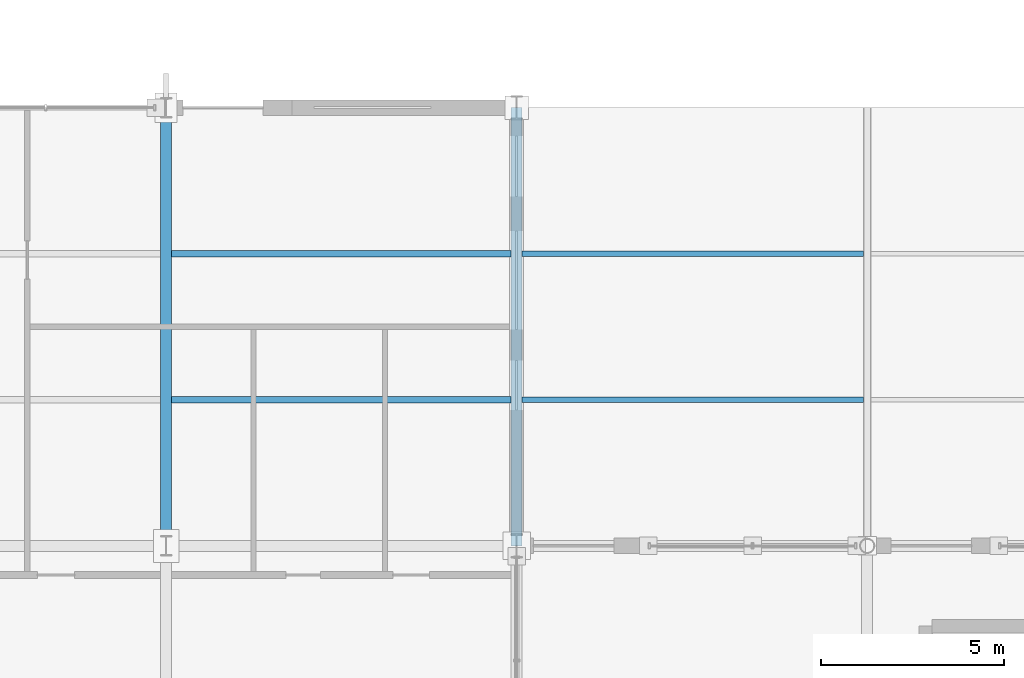
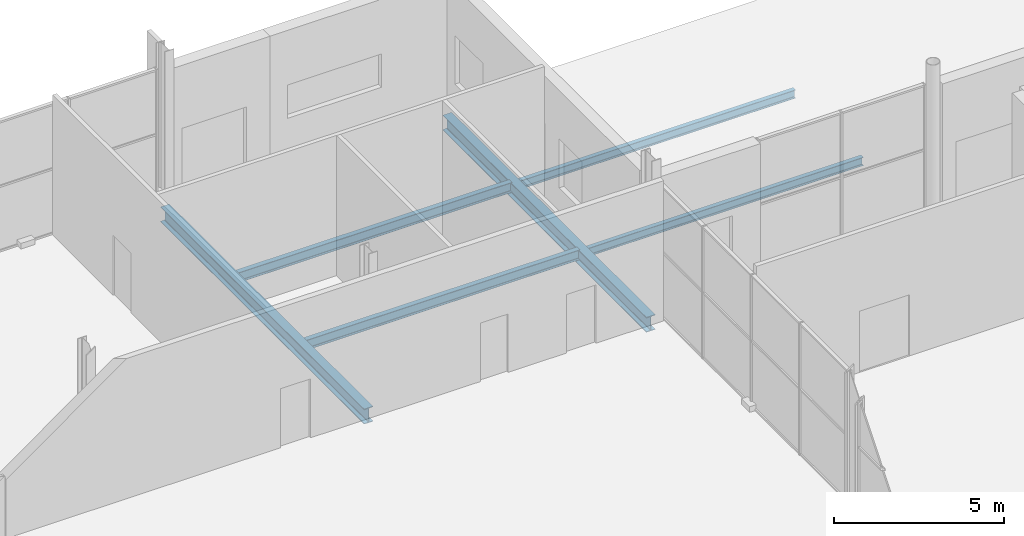
# One storey, part 111 of 196: 6 beams.
"""IFC4 building model written with IfcOpenShell, lengths in metres."""

from ifc_helpers import new_model, si_unit, direction, frame, origin, origin_2d, place, context, subcontext, project, spatial, i_section, extrude, material, material_profile, profile_set, type_object, element, save


model = new_model("IFC4")

# Units and contexts
model_context = context("Model", 3, precision=1e-05, world=origin(), true_north=direction((0.0, 1.0)))
body_context = subcontext(model_context, "Body", "Model", "MODEL_VIEW")
ifc_project = project(units=[si_unit("LENGTHUNIT", "METRE"), si_unit("AREAUNIT", "SQUARE_METRE"), si_unit("VOLUMEUNIT", "CUBIC_METRE"), si_unit("PLANEANGLEUNIT", "RADIAN"), si_unit("MASSUNIT", "GRAM", prefix="KILO")], contexts=[model_context])

# Site, building, storey
site_placement = place(None, origin())
site = spatial("IfcSite", under=ifc_project, at=site_placement, CompositionType="ELEMENT")
building_placement = place(site_placement, origin())
building = spatial("IfcBuilding", under=site, at=building_placement, Name="Merenkruunu Market Hall", CompositionType="ELEMENT")
storey_placement = place(building_placement, origin())
storey = spatial("IfcBuildingStorey", under=building, at=storey_placement, Name="L00", CompositionType="ELEMENT", Elevation=0.0)

# Beams
ifc_material = material(Name="Steel S355J2", Category="steel")
ifc_material_profile_1 = material_profile(ifc_material, i_section(OverallWidth=0.300048828125, OverallDepth=0.5400390625, WebThickness=0.012451171875, FlangeThickness=0.02392578125, FilletRadius=0.027099609375, at=origin_2d()), Name="HEA 550")
ifc_profile_set_1 = profile_set([ifc_material_profile_1], Name="Steel S355J2")
beam_type_1 = type_object("IfcBeamType", Name="Primary Floor Girder B06", PredefinedType="BEAM", material=ifc_profile_set_1)
for number, where, z_axis, x_axis, name in (
    (1, (48.0, 99.60009765625, -0.610107421875), (0.0, 1.0, 0.0), (-1.0, 0.0, 0.0), "BM-L00-B06-0184"),
    (2, (57.60009765625, 99.60009765625, -0.669921875), (0.0, 1.0, 0.0), (-1.0, 0.0, 0.0), "BM-L00-B06-0193"),
):
    element("IfcBeam", number, at=place(storey_placement, frame(where, z_axis=z_axis, x_axis=x_axis)), inside=storey, type_object=beam_type_1, Name=name, PredefinedType="BEAM", context=body_context, shape_type="SweptSolid", body=[
        extrude(i_section(OverallWidth=0.300048828125, OverallDepth=0.5400390625, WebThickness=0.012451171875, FlangeThickness=0.02392578125, FilletRadius=0.027099609375, at=origin_2d()), origin(), (0.0, 0.0, 1.0), 12.0),
    ])
ifc_material_profile_2 = material_profile(ifc_material, i_section(OverallWidth=0.169921875, OverallDepth=0.360107421875, WebThickness=0.008056640625, FlangeThickness=0.0126953125, FilletRadius=0.01806640625, at=origin_2d()), Name="IPE 360")
ifc_profile_set_2 = profile_set([ifc_material_profile_2], Name="Steel S355J2")
beam_type_2 = type_object("IfcBeamType", Name="Secondary Floor Joist J03", PredefinedType="JOIST", material=ifc_profile_set_2)
for number, where, z_axis, x_axis, name in (
    (3, (48.153076171875, 103.60009765625, -0.52001953125), (1.0, 0.0, 0.0), (0.0, 1.0, 0.0), "BM-L00-J03-0344"),
    (4, (48.153076171875, 107.60009765625, -0.52001953125), (1.0, 0.0, 0.0), (0.0, 1.0, 0.0), "BM-L00-J03-0345"),
):
    element("IfcBeam", number, at=place(storey_placement, frame(where, z_axis=z_axis, x_axis=x_axis)), inside=storey, type_object=beam_type_2, Name=name, PredefinedType="JOIST", context=body_context, shape_type="SweptSolid", body=[
        extrude(i_section(OverallWidth=0.169921875, OverallDepth=0.360107421875, WebThickness=0.008056640625, FlangeThickness=0.0126953125, FilletRadius=0.01806640625, at=origin_2d()), origin(), (0.0, 0.0, 1.0), 9.2939453125),
    ])
ifc_material_profile_3 = material_profile(ifc_material, i_section(OverallWidth=0.14990234375, OverallDepth=0.300048828125, WebThickness=0.007080078125, FlangeThickness=0.0107421875, FilletRadius=0.014892578125, at=origin_2d()), Name="IPE 300")
ifc_profile_set_3 = profile_set([ifc_material_profile_3], Name="Steel S355J2")
beam_type_3 = type_object("IfcBeamType", Name="Secondary Floor Joist J04", PredefinedType="JOIST", material=ifc_profile_set_3)
for number, where, z_axis, x_axis, name in (
    (5, (57.7529296875, 103.60009765625, -0.550048828125), (1.0, 0.0, 0.0), (0.0, 1.0, 0.0), "BM-L00-J04-0358"),
    (6, (57.7529296875, 107.60009765625, -0.550048828125), (1.0, 0.0, 0.0), (0.0, 1.0, 0.0), "BM-L00-J04-0359"),
):
    element("IfcBeam", number, at=place(storey_placement, frame(where, z_axis=z_axis, x_axis=x_axis)), inside=storey, type_object=beam_type_3, Name=name, PredefinedType="JOIST", context=body_context, shape_type="SweptSolid", body=[
        extrude(i_section(OverallWidth=0.14990234375, OverallDepth=0.300048828125, WebThickness=0.007080078125, FlangeThickness=0.0107421875, FilletRadius=0.014892578125, at=origin_2d()), origin(), (0.0, 0.0, 1.0), 9.343994140625),
    ])

save(model, "model.ifc")
